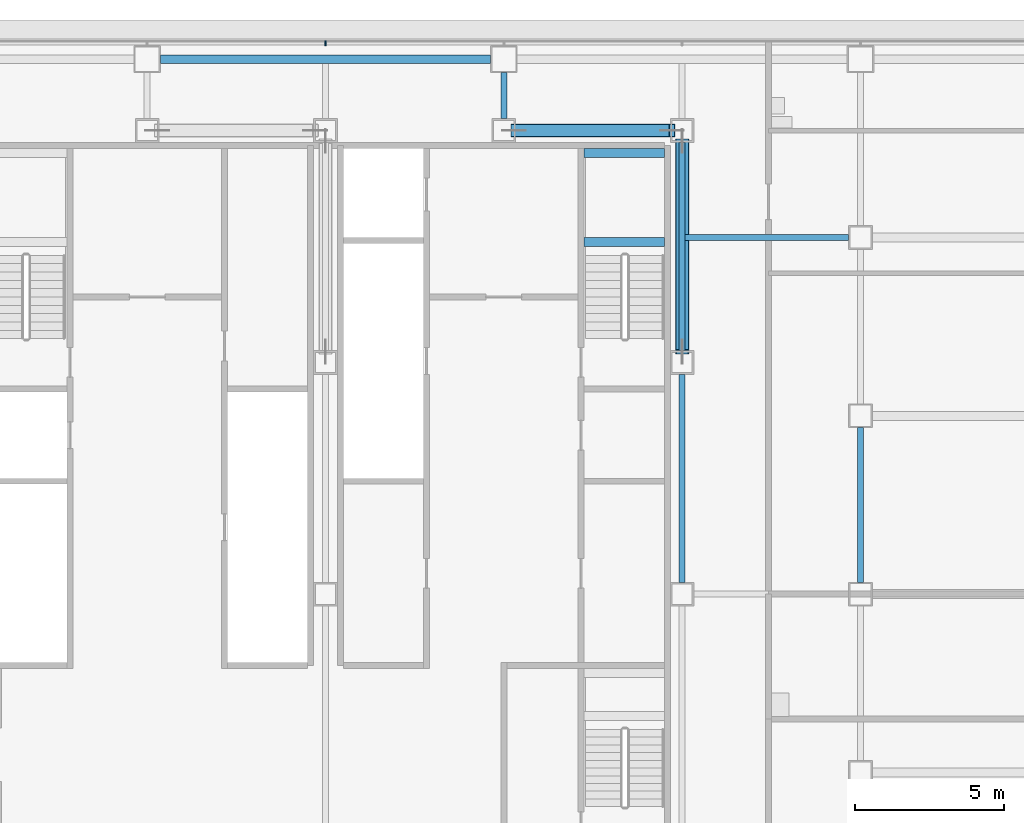
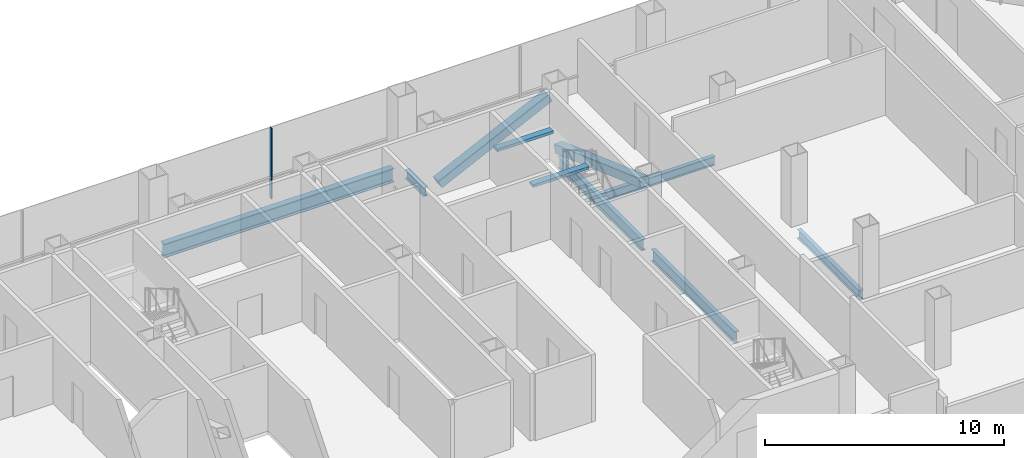
# One storey, part 13 of 26: 8 beams, 3 members, 1 element without a shape of its own.
"""IFC4 building model written with IfcOpenShell, lengths in metres."""

from ifc_helpers import new_model, si_unit, direction, frame, origin, origin_2d, place, context, subcontext, project, spatial, rectangle, hollow_rectangle, i_section, extrude, material, material_profile, profile_set, type_object, element, aggregate, save


model = new_model("IFC4")

# Units and contexts
model_context = context("Model", 3, precision=1e-05, world=origin(), true_north=direction((0.0, 1.0)))
body_context = subcontext(model_context, "Body", "Model", "MODEL_VIEW")
ifc_project = project(units=[si_unit("LENGTHUNIT", "METRE"), si_unit("AREAUNIT", "SQUARE_METRE"), si_unit("VOLUMEUNIT", "CUBIC_METRE"), si_unit("PLANEANGLEUNIT", "RADIAN"), si_unit("MASSUNIT", "GRAM", prefix="KILO")], contexts=[model_context])

# Site, building, storey
site_placement = place(None, origin())
site = spatial("IfcSite", under=ifc_project, at=site_placement, CompositionType="ELEMENT")
building_placement = place(site_placement, origin())
building = spatial("IfcBuilding", under=site, at=building_placement, Name="Sorahane Residences", CompositionType="ELEMENT")
storey_placement = place(building_placement, frame((0.0, 0.0, 71.39990234375)))
storey = spatial("IfcBuildingStorey", under=building, at=storey_placement, Name="L14", CompositionType="ELEMENT", Elevation=71.39990234375)

# Members
ifc_material_1 = material(Name="Steel Q355B", Category="steel")
ifc_material_profile_1 = material_profile(ifc_material_1, hollow_rectangle(XDim=0.449951171875, YDim=0.449951171875, WallThickness=0.02197265625, InnerFilletRadius=0.010986328125, OuterFilletRadius=0.032958984375, at=origin_2d()), Name="RHS 450x450x22")
ifc_profile_set_1 = profile_set([ifc_material_profile_1], Name="Steel Q355B")
member_type_1 = type_object("IfcMemberType", Name="Core brace RHS 450x450x22 Q355B", PredefinedType="BRACE", material=ifc_profile_set_1)
member_1_placement = place(storey_placement, frame((36.341064453125, 45.60009765625, 0.196533203125), z_axis=(0.899894691922, 0.0, 0.436107261405), x_axis=(0.0, 1.0, 0.0)))
element("IfcMember", 1, at=member_1_placement, inside=storey, type_object=member_type_1, Name="Core brace L14 y45.6-6", PredefinedType="BRACE", context=body_context, shape_type="SweptSolid", body=[
    extrude(hollow_rectangle(XDim=0.449951171875, YDim=0.449951171875, WallThickness=0.02197265625, InnerFilletRadius=0.010986328125, OuterFilletRadius=0.032958984375, at=origin_2d()), origin(), (0.0, 0.0, 1.0), 5.909423828125),
])
member_2_placement = place(storey_placement, frame((42.0, 45.24560546875, 0.208740234375), z_axis=(0.0, -0.940893192956, 0.338703409266), x_axis=(1.0, 0.0, 0.0)))
element("IfcMember", 2, at=member_2_placement, inside=storey, type_object=member_type_1, Name="Core brace L14 x42-3", PredefinedType="BRACE", context=body_context, shape_type="SweptSolid", body=[
    extrude(hollow_rectangle(XDim=0.449951171875, YDim=0.449951171875, WallThickness=0.02197265625, InnerFilletRadius=0.010986328125, OuterFilletRadius=0.032958984375, at=origin_2d()), origin(), (0.0, 0.0, 1.0), 7.536865234375),
])

# Curtain wall, member
ifc_material_2 = material(Name="Dark low-e glass and black anodised aluminium", Category="aluminium")
curtain_wall_type = type_object("IfcCurtainWallType", Name="Curtain wall CW-1 Typical unitised wall", PredefinedType="NOTDEFINED", material=ifc_material_2)
curtain_wall_placement = place(storey_placement, origin())
curtain_wall = element("IfcCurtainWall", 3, at=curtain_wall_placement, inside=storey, type_object=curtain_wall_type, Name="CW-1 curtain wall L14 N1", PredefinedType="NOTDEFINED")
ifc_material_3 = material(Name="Black anodised aluminium", Category="aluminium")
ifc_material_profile_2 = material_profile(ifc_material_3, rectangle(XDim=0.159912109375, YDim=0.050048828125, at=origin_2d()), Name="Curtain wall mullion CW-1 black anodised aluminium 50x160")
ifc_profile_set_2 = profile_set([ifc_material_profile_2], Name="Black anodised aluminium")
member_type_2 = type_object("IfcMemberType", Name="Curtain wall mullion CW-1 black anodised aluminium 50x160", PredefinedType="MULLION", material=ifc_profile_set_2)
member_3_placement = place(storey_placement, frame((30.0, 48.5400390625, -0.179931640625), z_axis=(0.0, 0.0, 1.0), x_axis=(0.0, 1.0, 0.0)))
member_3 = element("IfcMember", 4, at=member_3_placement, type_object=member_type_2, Name="CW-1 mullion L14 N1.6", PredefinedType="MULLION", context=body_context, shape_type="SweptSolid", body=[
    extrude(rectangle(XDim=0.159912109375, YDim=0.050048828125, at=origin_2d()), origin(), (0.0, 0.0, 1.0), 3.60009765625),
])
aggregate(curtain_wall, [member_3])

# Beams
ifc_material_4 = material(Name="Concrete C40", Category="concrete")
ifc_material_profile_3 = material_profile(ifc_material_4, rectangle(XDim=0.300048828125, YDim=0.139892578125, at=origin_2d()), Name="300x140")
ifc_profile_set_3 = profile_set([ifc_material_profile_3], Name="Concrete C40")
beam_type_1 = type_object("IfcBeamType", Name="RC landing beam 300 x 140 Concrete C40", PredefinedType="BEAM", material=ifc_profile_set_3)
for number, where, z_axis, x_axis, name in (
    (5, (38.699951171875, 41.85009765625, 1.530029296875), (1.0, 0.0, 0.0), (0.0, 1.0, 0.0), "Landing beam"),
    (6, (38.699951171875, 44.85009765625, 1.530029296875), (1.0, 0.0, 0.0), (0.0, 1.0, 0.0), "Landing beam"),
):
    element("IfcBeam", number, at=place(storey_placement, frame(where, z_axis=z_axis, x_axis=x_axis)), inside=storey, type_object=beam_type_1, Name=name, PredefinedType="BEAM", context=body_context, shape_type="SweptSolid", body=[
        extrude(rectangle(XDim=0.300048828125, YDim=0.139892578125, at=origin_2d()), origin(), (0.0, 0.0, 1.0), 2.699951171875),
    ])
ifc_material_5 = material(Name="Steel Q355B", Category="steel")
ifc_material_profile_4 = material_profile(ifc_material_5, i_section(OverallWidth=0.199951171875, OverallDepth=0.449951171875, WebThickness=0.009033203125, FlangeThickness=0.013916015625, FilletRadius=0.02001953125, at=origin_2d()), Name="HN 450x200x9x14")
ifc_profile_set_4 = profile_set([ifc_material_profile_4], Name="Steel Q355B")
beam_type_2 = type_object("IfcBeamType", Name="Steel floor beam HN 450x200x9x14 Q355B", PredefinedType="BEAM", material=ifc_profile_set_4)
beam_1_placement = place(storey_placement, frame((36.0, 46.0, -0.40478515625), z_axis=(0.0, 1.0, 0.0), x_axis=(-1.0, 0.0, 0.0)))
element("IfcBeam", 7, at=beam_1_placement, inside=storey, type_object=beam_type_2, Name="Beam L14 044", PredefinedType="BEAM", context=body_context, shape_type="SweptSolid", body=[
    extrude(i_section(OverallWidth=0.199951171875, OverallDepth=0.449951171875, WebThickness=0.009033203125, FlangeThickness=0.013916015625, FilletRadius=0.02001953125, at=origin_2d()), origin(), (0.0, 0.0, 1.0), 1.550048828125),
])
beam_2_placement = place(storey_placement, frame((48.0, 30.39990234375, -0.40478515625), z_axis=(0.0, 1.0, 0.0), x_axis=(-1.0, 0.0, 0.0)))
element("IfcBeam", 8, at=beam_2_placement, inside=storey, type_object=beam_type_2, Name="Beam L14 054", PredefinedType="BEAM", context=body_context, shape_type="SweptSolid", body=[
    extrude(i_section(OverallWidth=0.199951171875, OverallDepth=0.449951171875, WebThickness=0.009033203125, FlangeThickness=0.013916015625, FilletRadius=0.02001953125, at=origin_2d()), origin(), (0.0, 0.0, 1.0), 5.2001953125),
])
beam_3_placement = place(storey_placement, frame((42.10009765625, 42.0, -0.40478515625), z_axis=(1.0, 0.0, 0.0), x_axis=(0.0, 1.0, 0.0)))
element("IfcBeam", 9, at=beam_3_placement, inside=storey, type_object=beam_type_2, Name="Beam L14 080", PredefinedType="BEAM", context=body_context, shape_type="SweptSolid", body=[
    extrude(i_section(OverallWidth=0.199951171875, OverallDepth=0.449951171875, WebThickness=0.009033203125, FlangeThickness=0.013916015625, FilletRadius=0.02001953125, at=origin_2d()), origin(), (0.0, 0.0, 1.0), 5.5),
])
ifc_material_6 = material(Name="Steel Q355B", Category="steel")
ifc_material_profile_5 = material_profile(ifc_material_6, i_section(OverallWidth=0.199951171875, OverallDepth=0.60009765625, WebThickness=0.010986328125, FlangeThickness=0.01708984375, FilletRadius=0.02392578125, at=origin_2d()), Name="HN 600x200x11x17")
ifc_profile_set_5 = profile_set([ifc_material_profile_5], Name="Steel Q355B")
beam_type_3 = type_object("IfcBeamType", Name="Steel floor beam HN 600x200x11x17 Q355B", PredefinedType="BEAM", material=ifc_profile_set_5)
for number, where, z_axis, x_axis, name in (
    (10, (42.0, 30.39990234375, -0.47998046875), (0.0, 1.0, 0.0), (-1.0, 0.0, 0.0), "Beam L14 048"),
    (11, (42.0, 38.199951171875, -0.47998046875), (0.0, 1.0, 0.0), (-1.0, 0.0, 0.0), "Beam L14 049"),
):
    element("IfcBeam", number, at=place(storey_placement, frame(where, z_axis=z_axis, x_axis=x_axis)), inside=storey, type_object=beam_type_3, Name=name, PredefinedType="BEAM", context=body_context, shape_type="SweptSolid", body=[
        extrude(i_section(OverallWidth=0.199951171875, OverallDepth=0.60009765625, WebThickness=0.010986328125, FlangeThickness=0.01708984375, FilletRadius=0.02392578125, at=origin_2d()), origin(), (0.0, 0.0, 1.0), 7.0),
    ])
ifc_material_7 = material(Name="Steel Q355B", Category="steel")
ifc_material_profile_6 = material_profile(ifc_material_7, i_section(OverallWidth=0.300048828125, OverallDepth=0.699951171875, WebThickness=0.012939453125, FlangeThickness=0.02392578125, FilletRadius=0.028076171875, at=origin_2d()), Name="HN 700x300x13x24")
ifc_profile_set_6 = profile_set([ifc_material_profile_6], Name="Steel Q355B")
beam_type_4 = type_object("IfcBeamType", Name="Steel floor beam HN 700x300x13x24 Q355B", PredefinedType="BEAM", material=ifc_profile_set_6)
beam_4_placement = place(storey_placement, frame((24.449951171875, 48.0, -0.52978515625), z_axis=(1.0, 0.0, 0.0), x_axis=(0.0, 1.0, 0.0)))
element("IfcBeam", 12, at=beam_4_placement, inside=storey, type_object=beam_type_4, Name="Beam L14 014", PredefinedType="BEAM", context=body_context, shape_type="SweptSolid", body=[
    extrude(i_section(OverallWidth=0.300048828125, OverallDepth=0.699951171875, WebThickness=0.012939453125, FlangeThickness=0.02392578125, FilletRadius=0.028076171875, at=origin_2d()), origin(), (0.0, 0.0, 1.0), 11.10009765625),
])

save(model, "model.ifc")
